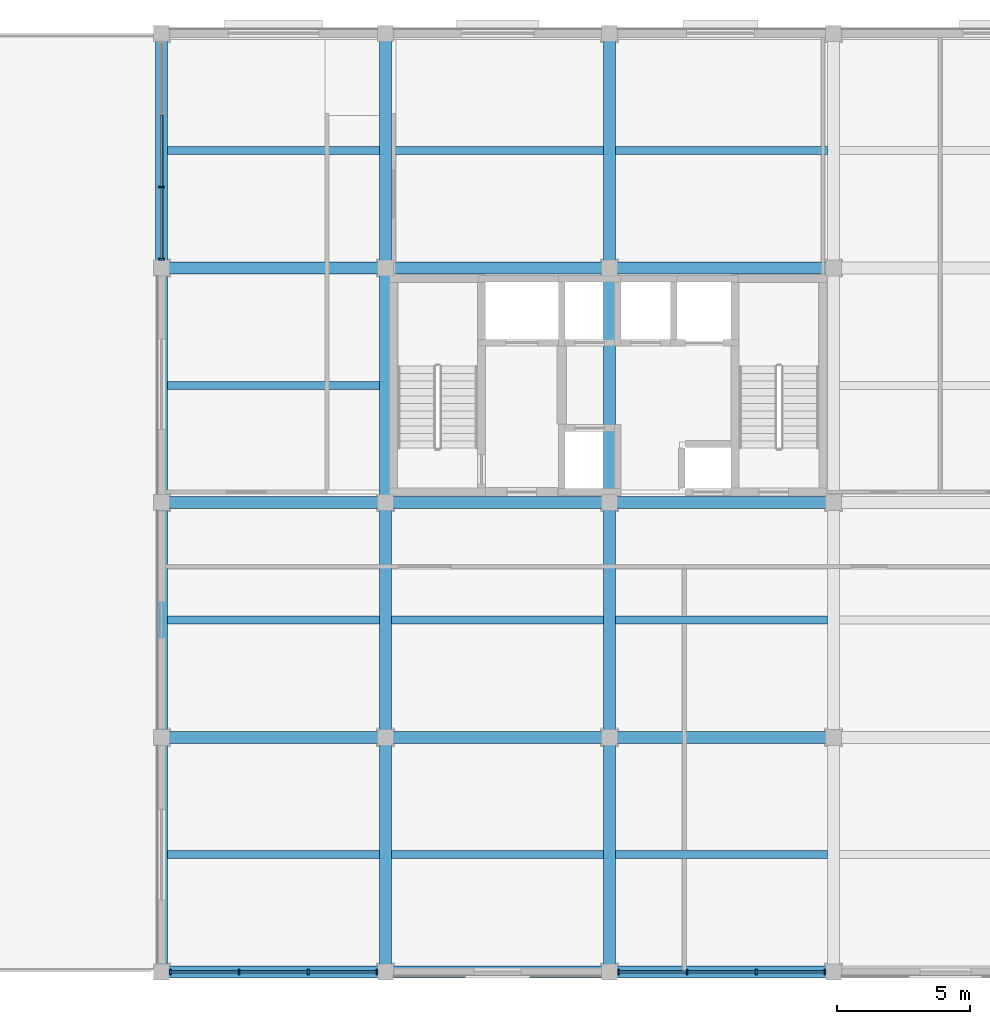
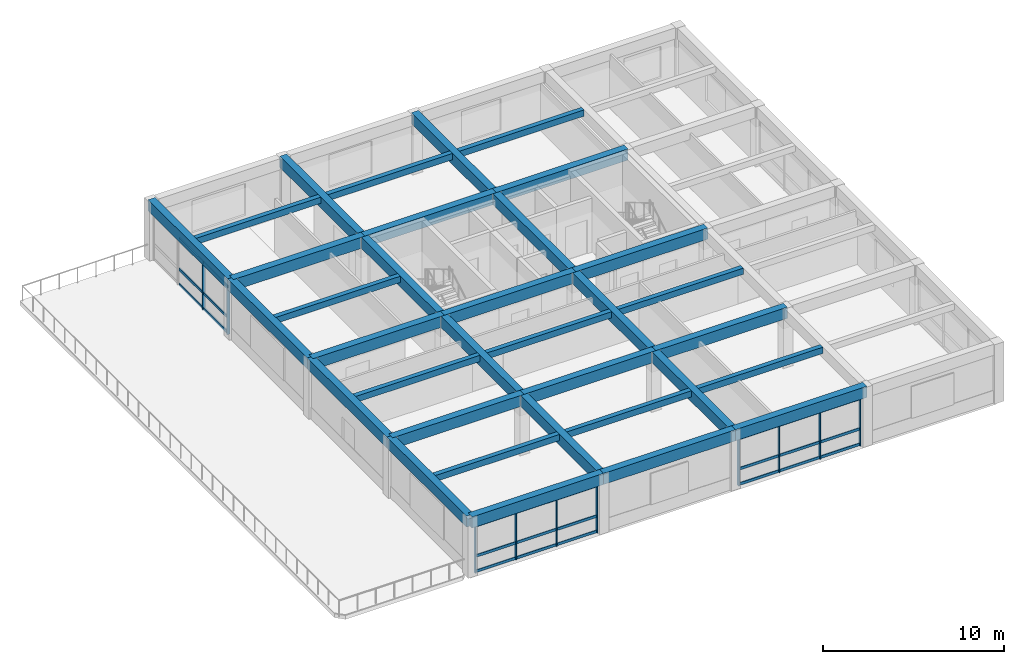
# One storey, part 2 of 10: 34 beams, 34 members, 3 elements without a shape of their own.
"""IFC4 building model written with IfcOpenShell, lengths in metres."""

from ifc_helpers import new_model, si_unit, direction, frame, origin, origin_2d, place, context, subcontext, project, spatial, rectangle, extrude, material, material_profile, profile_set, type_object, element, aggregate, save


model = new_model("IFC4")

# Units and contexts
model_context = context("Model", 3, precision=1e-05, world=origin(), true_north=direction((0.0, 1.0)))
body_context = subcontext(model_context, "Body", "Model", "MODEL_VIEW")
ifc_project = project(units=[si_unit("LENGTHUNIT", "METRE"), si_unit("AREAUNIT", "SQUARE_METRE"), si_unit("VOLUMEUNIT", "CUBIC_METRE"), si_unit("PLANEANGLEUNIT", "RADIAN"), si_unit("MASSUNIT", "GRAM", prefix="KILO")], contexts=[model_context])

# Site, building, storey
site_placement = place(None, origin())
site = spatial("IfcSite", under=ifc_project, at=site_placement, CompositionType="ELEMENT")
building_placement = place(site_placement, origin())
building = spatial("IfcBuilding", under=site, at=building_placement, Name="Kemercrest Conservatory and Botanical Centre", CompositionType="ELEMENT")
storey_placement = place(building_placement, frame((0.0, 0.0, 48.199951171875)))
storey = spatial("IfcBuildingStorey", under=building, at=storey_placement, Name="L12", CompositionType="ELEMENT", Elevation=48.199951171875)

# Beams
ifc_material_1 = material(Name="Concrete C40/50", Category="concrete")
ifc_material_profile_1 = material_profile(ifc_material_1, rectangle(XDim=0.449951171875, YDim=0.75, at=origin_2d()), Name="RC 450x750")
ifc_profile_set_1 = profile_set([ifc_material_profile_1], Name="Concrete C40/50")
beam_type_1 = type_object("IfcBeamType", Name="BM-RC75", PredefinedType="BEAM", material=ifc_profile_set_1)
beam_1_placement = place(storey_placement, frame((142.39990234375, 96.0, 3.625), z_axis=(1.0, 0.0, 0.0), x_axis=(0.0, 1.0, 0.0)))
element("IfcBeam", 1, at=beam_1_placement, inside=storey, type_object=beam_type_1, Name="V4-L13 beam BM-RC75 L/17-18", PredefinedType="BEAM", context=body_context, shape_type="SweptSolid", body=[
    extrude(rectangle(XDim=0.449951171875, YDim=0.75, at=origin_2d()), origin(), (0.0, 0.0, 1.0), 8.400146484375),
])
beam_2_placement = place(storey_placement, frame((150.800048828125, 96.0, 3.625), z_axis=(1.0, 0.0, 0.0), x_axis=(0.0, 1.0, 0.0)))
element("IfcBeam", 2, at=beam_2_placement, inside=storey, type_object=beam_type_1, Name="V4-L13 beam BM-RC75 L/18-19", PredefinedType="BEAM", context=body_context, shape_type="SweptSolid", body=[
    extrude(rectangle(XDim=0.449951171875, YDim=0.75, at=origin_2d()), origin(), (0.0, 0.0, 1.0), 8.39990234375),
])
for number, where, z_axis, x_axis, name in (
    (3, (159.199951171875, 96.0, 3.625), (1.0, 0.0, 0.0), (0.0, 1.0, 0.0), "V4-L13 beam BM-RC75 L/19-20"),
    (4, (142.39990234375, 104.800048828125, 3.625), (1.0, 0.0, 0.0), (0.0, 1.0, 0.0), "V4-L13 beam BM-RC75 M/17-18"),
):
    element("IfcBeam", number, at=place(storey_placement, frame(where, z_axis=z_axis, x_axis=x_axis)), inside=storey, type_object=beam_type_1, Name=name, PredefinedType="BEAM", context=body_context, shape_type="SweptSolid", body=[
        extrude(rectangle(XDim=0.449951171875, YDim=0.75, at=origin_2d()), origin(), (0.0, 0.0, 1.0), 8.400146484375),
    ])
beam_3_placement = place(storey_placement, frame((150.800048828125, 104.800048828125, 3.625), z_axis=(1.0, 0.0, 0.0), x_axis=(0.0, 1.0, 0.0)))
element("IfcBeam", 5, at=beam_3_placement, inside=storey, type_object=beam_type_1, Name="V4-L13 beam BM-RC75 M/18-19", PredefinedType="BEAM", context=body_context, shape_type="SweptSolid", body=[
    extrude(rectangle(XDim=0.449951171875, YDim=0.75, at=origin_2d()), origin(), (0.0, 0.0, 1.0), 8.39990234375),
])
for number, where, z_axis, x_axis, name in (
    (6, (159.199951171875, 104.800048828125, 3.625), (1.0, 0.0, 0.0), (0.0, 1.0, 0.0), "V4-L13 beam BM-RC75 M/19-20"),
    (7, (142.39990234375, 113.60009765625, 3.625), (1.0, 0.0, 0.0), (0.0, 1.0, 0.0), "V4-L13 beam BM-RC75 N/17-18"),
):
    element("IfcBeam", number, at=place(storey_placement, frame(where, z_axis=z_axis, x_axis=x_axis)), inside=storey, type_object=beam_type_1, Name=name, PredefinedType="BEAM", context=body_context, shape_type="SweptSolid", body=[
        extrude(rectangle(XDim=0.449951171875, YDim=0.75, at=origin_2d()), origin(), (0.0, 0.0, 1.0), 8.400146484375),
    ])
beam_4_placement = place(storey_placement, frame((150.800048828125, 113.60009765625, 3.625), z_axis=(1.0, 0.0, 0.0), x_axis=(0.0, 1.0, 0.0)))
element("IfcBeam", 8, at=beam_4_placement, inside=storey, type_object=beam_type_1, Name="V4-L13 beam BM-RC75 N/18-19", PredefinedType="BEAM", context=body_context, shape_type="SweptSolid", body=[
    extrude(rectangle(XDim=0.449951171875, YDim=0.75, at=origin_2d()), origin(), (0.0, 0.0, 1.0), 8.39990234375),
])
beam_5_placement = place(storey_placement, frame((159.199951171875, 113.60009765625, 3.625), z_axis=(1.0, 0.0, 0.0), x_axis=(0.0, 1.0, 0.0)))
element("IfcBeam", 9, at=beam_5_placement, inside=storey, type_object=beam_type_1, Name="V4-L13 beam BM-RC75 N/19-20", PredefinedType="BEAM", context=body_context, shape_type="SweptSolid", body=[
    extrude(rectangle(XDim=0.449951171875, YDim=0.75, at=origin_2d()), origin(), (0.0, 0.0, 1.0), 8.400146484375),
])
for number, where, z_axis, x_axis, name in (
    (10, (150.800048828125, 87.199951171875, 3.625), (0.0, 1.0, 0.0), (-1.0, 0.0, 0.0), "V4-L13 beam BM-RC75 18/K-L"),
    (11, (150.800048828125, 96.0, 3.625), (0.0, 1.0, 0.0), (-1.0, 0.0, 0.0), "V4-L13 beam BM-RC75 18/L-M"),
    (12, (150.800048828125, 104.800048828125, 3.625), (0.0, 1.0, 0.0), (-1.0, 0.0, 0.0), "V4-L13 beam BM-RC75 18/M-N"),
):
    element("IfcBeam", number, at=place(storey_placement, frame(where, z_axis=z_axis, x_axis=x_axis)), inside=storey, type_object=beam_type_1, Name=name, PredefinedType="BEAM", context=body_context, shape_type="SweptSolid", body=[
        extrude(rectangle(XDim=0.449951171875, YDim=0.75, at=origin_2d()), origin(), (0.0, 0.0, 1.0), 8.800048828125),
    ])
beam_6_placement = place(storey_placement, frame((150.800048828125, 113.60009765625, 3.625), z_axis=(0.0, 1.0, 0.0), x_axis=(-1.0, 0.0, 0.0)))
element("IfcBeam", 13, at=beam_6_placement, inside=storey, type_object=beam_type_1, Name="V4-L13 beam BM-RC75 18/N-P", PredefinedType="BEAM", context=body_context, shape_type="SweptSolid", body=[
    extrude(rectangle(XDim=0.449951171875, YDim=0.75, at=origin_2d()), origin(), (0.0, 0.0, 1.0), 8.7998046875),
])
for number, where, z_axis, x_axis, name in (
    (14, (159.199951171875, 87.199951171875, 3.625), (0.0, 1.0, 0.0), (-1.0, 0.0, 0.0), "V4-L13 beam BM-RC75 19/K-L"),
    (15, (159.199951171875, 96.0, 3.625), (0.0, 1.0, 0.0), (-1.0, 0.0, 0.0), "V4-L13 beam BM-RC75 19/L-M"),
    (16, (159.199951171875, 104.800048828125, 3.625), (0.0, 1.0, 0.0), (-1.0, 0.0, 0.0), "V4-L13 beam BM-RC75 19/M-N"),
):
    element("IfcBeam", number, at=place(storey_placement, frame(where, z_axis=z_axis, x_axis=x_axis)), inside=storey, type_object=beam_type_1, Name=name, PredefinedType="BEAM", context=body_context, shape_type="SweptSolid", body=[
        extrude(rectangle(XDim=0.449951171875, YDim=0.75, at=origin_2d()), origin(), (0.0, 0.0, 1.0), 8.800048828125),
    ])
beam_7_placement = place(storey_placement, frame((159.199951171875, 113.60009765625, 3.625), z_axis=(0.0, 1.0, 0.0), x_axis=(-1.0, 0.0, 0.0)))
element("IfcBeam", 17, at=beam_7_placement, inside=storey, type_object=beam_type_1, Name="V4-L13 beam BM-RC75 19/N-P", PredefinedType="BEAM", context=body_context, shape_type="SweptSolid", body=[
    extrude(rectangle(XDim=0.449951171875, YDim=0.75, at=origin_2d()), origin(), (0.0, 0.0, 1.0), 8.7998046875),
])

# Curtain wall, members
ifc_material_2 = material(Name="Thermally broken aluminium and triple low-e glazing", Category="aluminium")
curtain_wall_type_1 = type_object("IfcCurtainWallType", Name="CW-09", PredefinedType="USERDEFINED", material=ifc_material_2)
curtain_wall_1_placement = place(storey_placement, origin())
curtain_wall_1 = element("IfcCurtainWall", 18, at=curtain_wall_1_placement, inside=storey, type_object=curtain_wall_type_1, Name="Unitised curtain wall CW-09 (CW:L12:V4-128)", ObjectType="UNITISED CURTAIN WALL", PredefinedType="USERDEFINED")
ifc_material_3 = material(Name="Thermally broken anodized aluminium 6063-T6", Category="aluminium")
ifc_material_profile_2 = material_profile(ifc_material_3, rectangle(XDim=0.199951171875, YDim=0.06494140625, at=origin_2d()), Name="AL MULLION 65x200")
ifc_profile_set_2 = profile_set([ifc_material_profile_2], Name="Thermally broken anodized aluminium 6063-T6")
member_type_1 = type_object("IfcMemberType", Name="CW-M200", PredefinedType="MULLION", material=ifc_profile_set_2)
member_1_placement = place(storey_placement, frame((142.7275390625, 87.199951171875, 0.0), z_axis=(0.0, 0.0, 1.0), x_axis=(0.0, 1.0, 0.0)))
member_1 = element("IfcMember", 19, at=member_1_placement, type_object=member_type_1, Name="CW-09 mullion 1", PredefinedType="MULLION", context=body_context, shape_type="SweptSolid", body=[
    extrude(rectangle(XDim=0.199951171875, YDim=0.06494140625, at=origin_2d()), origin(), (0.0, 0.0, 1.0), 3.255126953125),
])
member_2_placement = place(storey_placement, frame((145.29833984375, 87.199951171875, 0.0), z_axis=(0.0, 0.0, 1.0), x_axis=(0.0, 1.0, 0.0)))
member_2 = element("IfcMember", 20, at=member_2_placement, type_object=member_type_1, Name="CW-09 mullion 2", PredefinedType="MULLION", context=body_context, shape_type="SweptSolid", body=[
    extrude(rectangle(XDim=0.199951171875, YDim=0.06494140625, at=origin_2d()), origin(), (0.0, 0.0, 1.0), 3.255126953125),
])
member_3_placement = place(storey_placement, frame((147.901611328125, 87.199951171875, 0.0), z_axis=(0.0, 0.0, 1.0), x_axis=(0.0, 1.0, 0.0)))
member_3 = element("IfcMember", 21, at=member_3_placement, type_object=member_type_1, Name="CW-09 mullion 3", PredefinedType="MULLION", context=body_context, shape_type="SweptSolid", body=[
    extrude(rectangle(XDim=0.199951171875, YDim=0.06494140625, at=origin_2d()), origin(), (0.0, 0.0, 1.0), 3.255126953125),
])
member_4_placement = place(storey_placement, frame((150.472412109375, 87.199951171875, 0.0), z_axis=(0.0, 0.0, 1.0), x_axis=(0.0, 1.0, 0.0)))
member_4 = element("IfcMember", 22, at=member_4_placement, type_object=member_type_1, Name="CW-09 mullion 4", PredefinedType="MULLION", context=body_context, shape_type="SweptSolid", body=[
    extrude(rectangle(XDim=0.199951171875, YDim=0.06494140625, at=origin_2d()), origin(), (0.0, 0.0, 1.0), 3.255126953125),
])

curtain_wall_type_2 = type_object("IfcCurtainWallType", Name="CW-10", PredefinedType="USERDEFINED", material=ifc_material_2)
curtain_wall_2_placement = place(storey_placement, origin())
curtain_wall_2 = element("IfcCurtainWall", 23, at=curtain_wall_2_placement, inside=storey, type_object=curtain_wall_type_2, Name="Unitised curtain wall CW-10 (CW:L12:V4-129)", ObjectType="UNITISED CURTAIN WALL", PredefinedType="USERDEFINED")
member_5_placement = place(storey_placement, frame((159.527587890625, 87.199951171875, 0.0), z_axis=(0.0, 0.0, 1.0), x_axis=(0.0, 1.0, 0.0)))
member_5 = element("IfcMember", 24, at=member_5_placement, type_object=member_type_1, Name="CW-10 mullion 1", PredefinedType="MULLION", context=body_context, shape_type="SweptSolid", body=[
    extrude(rectangle(XDim=0.199951171875, YDim=0.06494140625, at=origin_2d()), origin(), (0.0, 0.0, 1.0), 3.255126953125),
])
member_6_placement = place(storey_placement, frame((162.098388671875, 87.199951171875, 0.0), z_axis=(0.0, 0.0, 1.0), x_axis=(0.0, 1.0, 0.0)))
member_6 = element("IfcMember", 25, at=member_6_placement, type_object=member_type_1, Name="CW-10 mullion 2", PredefinedType="MULLION", context=body_context, shape_type="SweptSolid", body=[
    extrude(rectangle(XDim=0.199951171875, YDim=0.06494140625, at=origin_2d()), origin(), (0.0, 0.0, 1.0), 3.255126953125),
])
member_7_placement = place(storey_placement, frame((164.70166015625, 87.199951171875, 0.0), z_axis=(0.0, 0.0, 1.0), x_axis=(0.0, 1.0, 0.0)))
member_7 = element("IfcMember", 26, at=member_7_placement, type_object=member_type_1, Name="CW-10 mullion 3", PredefinedType="MULLION", context=body_context, shape_type="SweptSolid", body=[
    extrude(rectangle(XDim=0.199951171875, YDim=0.06494140625, at=origin_2d()), origin(), (0.0, 0.0, 1.0), 3.255126953125),
])
member_8_placement = place(storey_placement, frame((167.2724609375, 87.199951171875, 0.0), z_axis=(0.0, 0.0, 1.0), x_axis=(0.0, 1.0, 0.0)))
member_8 = element("IfcMember", 27, at=member_8_placement, type_object=member_type_1, Name="CW-10 mullion 4", PredefinedType="MULLION", context=body_context, shape_type="SweptSolid", body=[
    extrude(rectangle(XDim=0.199951171875, YDim=0.06494140625, at=origin_2d()), origin(), (0.0, 0.0, 1.0), 3.255126953125),
])

curtain_wall_type_3 = type_object("IfcCurtainWallType", Name="CW-13", PredefinedType="USERDEFINED", material=ifc_material_2)
curtain_wall_3_placement = place(storey_placement, origin())
curtain_wall_3 = element("IfcCurtainWall", 28, at=curtain_wall_3_placement, inside=storey, type_object=curtain_wall_type_3, Name="Unitised curtain wall CW-13 (CW:L12:V4-132)", ObjectType="UNITISED CURTAIN WALL", PredefinedType="USERDEFINED")
member_9_placement = place(storey_placement, frame((142.39990234375, 116.631591796875, 0.0), z_axis=(0.0, 0.0, 1.0), x_axis=(1.0, 0.0, 0.0)))
member_9 = element("IfcMember", 29, at=member_9_placement, type_object=member_type_1, Name="CW-13 mullion 3", PredefinedType="MULLION", context=body_context, shape_type="SweptSolid", body=[
    extrude(rectangle(XDim=0.199951171875, YDim=0.06494140625, at=origin_2d()), origin(), (0.0, 0.0, 1.0), 3.255126953125),
])
member_10_placement = place(storey_placement, frame((142.39990234375, 113.927490234375, 0.0), z_axis=(0.0, 0.0, 1.0), x_axis=(1.0, 0.0, 0.0)))
member_10 = element("IfcMember", 30, at=member_10_placement, type_object=member_type_1, Name="CW-13 mullion 4", PredefinedType="MULLION", context=body_context, shape_type="SweptSolid", body=[
    extrude(rectangle(XDim=0.199951171875, YDim=0.06494140625, at=origin_2d()), origin(), (0.0, 0.0, 1.0), 3.255126953125),
])

# Member
ifc_material_profile_3 = material_profile(ifc_material_3, rectangle(XDim=0.074951171875, YDim=0.179931640625, at=origin_2d()), Name="AL TRANSOM 75x180")
ifc_profile_set_3 = profile_set([ifc_material_profile_3], Name="Thermally broken anodized aluminium 6063-T6")
member_type_2 = type_object("IfcMemberType", Name="CW-T180", PredefinedType="USERDEFINED", material=ifc_profile_set_3)
member_11_placement = place(storey_placement, frame((142.760009765625, 87.199951171875, 0.090087890625), z_axis=(1.0, 0.0, 0.0), x_axis=(0.0, 1.0, 0.0)))
member_11 = element("IfcMember", 31, at=member_11_placement, type_object=member_type_2, Name="CW-09 transom 1.1", ObjectType="TRANSOM", PredefinedType="USERDEFINED", context=body_context, shape_type="SweptSolid", body=[
    extrude(rectangle(XDim=0.074951171875, YDim=0.179931640625, at=origin_2d()), origin(), (0.0, 0.0, 1.0), 2.505859375),
])

member_12_placement = place(storey_placement, frame((142.760009765625, 87.199951171875, 1.1201171875), z_axis=(1.0, 0.0, 0.0), x_axis=(0.0, 1.0, 0.0)))
member_12 = element("IfcMember", 32, at=member_12_placement, type_object=member_type_2, Name="CW-09 transom 1.2", ObjectType="TRANSOM", PredefinedType="USERDEFINED", context=body_context, shape_type="SweptSolid", body=[
    extrude(rectangle(XDim=0.074951171875, YDim=0.179931640625, at=origin_2d()), origin(), (0.0, 0.0, 1.0), 2.505859375),
])

member_13_placement = place(storey_placement, frame((142.760009765625, 87.199951171875, 3.1650390625), z_axis=(1.0, 0.0, 0.0), x_axis=(0.0, 1.0, 0.0)))
member_13 = element("IfcMember", 33, at=member_13_placement, type_object=member_type_2, Name="CW-09 transom 1.3", ObjectType="TRANSOM", PredefinedType="USERDEFINED", context=body_context, shape_type="SweptSolid", body=[
    extrude(rectangle(XDim=0.074951171875, YDim=0.179931640625, at=origin_2d()), origin(), (0.0, 0.0, 1.0), 2.505859375),
])

member_14_placement = place(storey_placement, frame((145.330810546875, 87.199951171875, 0.090087890625), z_axis=(1.0, 0.0, 0.0), x_axis=(0.0, 1.0, 0.0)))
member_14 = element("IfcMember", 34, at=member_14_placement, type_object=member_type_2, Name="CW-09 transom 2.1", ObjectType="TRANSOM", PredefinedType="USERDEFINED", context=body_context, shape_type="SweptSolid", body=[
    extrude(rectangle(XDim=0.074951171875, YDim=0.179931640625, at=origin_2d()), origin(), (0.0, 0.0, 1.0), 2.538330078125),
])

member_15_placement = place(storey_placement, frame((145.330810546875, 87.199951171875, 1.1201171875), z_axis=(1.0, 0.0, 0.0), x_axis=(0.0, 1.0, 0.0)))
member_15 = element("IfcMember", 35, at=member_15_placement, type_object=member_type_2, Name="CW-09 transom 2.2", ObjectType="TRANSOM", PredefinedType="USERDEFINED", context=body_context, shape_type="SweptSolid", body=[
    extrude(rectangle(XDim=0.074951171875, YDim=0.179931640625, at=origin_2d()), origin(), (0.0, 0.0, 1.0), 2.538330078125),
])

member_16_placement = place(storey_placement, frame((145.330810546875, 87.199951171875, 3.1650390625), z_axis=(1.0, 0.0, 0.0), x_axis=(0.0, 1.0, 0.0)))
member_16 = element("IfcMember", 36, at=member_16_placement, type_object=member_type_2, Name="CW-09 transom 2.3", ObjectType="TRANSOM", PredefinedType="USERDEFINED", context=body_context, shape_type="SweptSolid", body=[
    extrude(rectangle(XDim=0.074951171875, YDim=0.179931640625, at=origin_2d()), origin(), (0.0, 0.0, 1.0), 2.538330078125),
])

member_17_placement = place(storey_placement, frame((147.93408203125, 87.199951171875, 0.090087890625), z_axis=(1.0, 0.0, 0.0), x_axis=(0.0, 1.0, 0.0)))
member_17 = element("IfcMember", 37, at=member_17_placement, type_object=member_type_2, Name="CW-09 transom 3.1", ObjectType="TRANSOM", PredefinedType="USERDEFINED", context=body_context, shape_type="SweptSolid", body=[
    extrude(rectangle(XDim=0.074951171875, YDim=0.179931640625, at=origin_2d()), origin(), (0.0, 0.0, 1.0), 2.505859375),
])

member_18_placement = place(storey_placement, frame((147.93408203125, 87.199951171875, 1.1201171875), z_axis=(1.0, 0.0, 0.0), x_axis=(0.0, 1.0, 0.0)))
member_18 = element("IfcMember", 38, at=member_18_placement, type_object=member_type_2, Name="CW-09 transom 3.2", ObjectType="TRANSOM", PredefinedType="USERDEFINED", context=body_context, shape_type="SweptSolid", body=[
    extrude(rectangle(XDim=0.074951171875, YDim=0.179931640625, at=origin_2d()), origin(), (0.0, 0.0, 1.0), 2.505859375),
])

member_19_placement = place(storey_placement, frame((147.93408203125, 87.199951171875, 3.1650390625), z_axis=(1.0, 0.0, 0.0), x_axis=(0.0, 1.0, 0.0)))
member_19 = element("IfcMember", 39, at=member_19_placement, type_object=member_type_2, Name="CW-09 transom 3.3", ObjectType="TRANSOM", PredefinedType="USERDEFINED", context=body_context, shape_type="SweptSolid", body=[
    extrude(rectangle(XDim=0.074951171875, YDim=0.179931640625, at=origin_2d()), origin(), (0.0, 0.0, 1.0), 2.505859375),
])

aggregate(curtain_wall_1, [member_1, member_2, member_3, member_4, member_11, member_12, member_13, member_14, member_15, member_16, member_17, member_18, member_19])

member_20_placement = place(storey_placement, frame((159.56005859375, 87.199951171875, 0.090087890625), z_axis=(1.0, 0.0, 0.0), x_axis=(0.0, 1.0, 0.0)))
member_20 = element("IfcMember", 40, at=member_20_placement, type_object=member_type_2, Name="CW-10 transom 1.1", ObjectType="TRANSOM", PredefinedType="USERDEFINED", context=body_context, shape_type="SweptSolid", body=[
    extrude(rectangle(XDim=0.074951171875, YDim=0.179931640625, at=origin_2d()), origin(), (0.0, 0.0, 1.0), 2.505859375),
])

member_21_placement = place(storey_placement, frame((159.56005859375, 87.199951171875, 1.1201171875), z_axis=(1.0, 0.0, 0.0), x_axis=(0.0, 1.0, 0.0)))
member_21 = element("IfcMember", 41, at=member_21_placement, type_object=member_type_2, Name="CW-10 transom 1.2", ObjectType="TRANSOM", PredefinedType="USERDEFINED", context=body_context, shape_type="SweptSolid", body=[
    extrude(rectangle(XDim=0.074951171875, YDim=0.179931640625, at=origin_2d()), origin(), (0.0, 0.0, 1.0), 2.505859375),
])

member_22_placement = place(storey_placement, frame((159.56005859375, 87.199951171875, 3.1650390625), z_axis=(1.0, 0.0, 0.0), x_axis=(0.0, 1.0, 0.0)))
member_22 = element("IfcMember", 42, at=member_22_placement, type_object=member_type_2, Name="CW-10 transom 1.3", ObjectType="TRANSOM", PredefinedType="USERDEFINED", context=body_context, shape_type="SweptSolid", body=[
    extrude(rectangle(XDim=0.074951171875, YDim=0.179931640625, at=origin_2d()), origin(), (0.0, 0.0, 1.0), 2.505859375),
])

member_23_placement = place(storey_placement, frame((162.130859375, 87.199951171875, 0.090087890625), z_axis=(1.0, 0.0, 0.0), x_axis=(0.0, 1.0, 0.0)))
member_23 = element("IfcMember", 43, at=member_23_placement, type_object=member_type_2, Name="CW-10 transom 2.1", ObjectType="TRANSOM", PredefinedType="USERDEFINED", context=body_context, shape_type="SweptSolid", body=[
    extrude(rectangle(XDim=0.074951171875, YDim=0.179931640625, at=origin_2d()), origin(), (0.0, 0.0, 1.0), 2.538330078125),
])

member_24_placement = place(storey_placement, frame((162.130859375, 87.199951171875, 1.1201171875), z_axis=(1.0, 0.0, 0.0), x_axis=(0.0, 1.0, 0.0)))
member_24 = element("IfcMember", 44, at=member_24_placement, type_object=member_type_2, Name="CW-10 transom 2.2", ObjectType="TRANSOM", PredefinedType="USERDEFINED", context=body_context, shape_type="SweptSolid", body=[
    extrude(rectangle(XDim=0.074951171875, YDim=0.179931640625, at=origin_2d()), origin(), (0.0, 0.0, 1.0), 2.538330078125),
])

member_25_placement = place(storey_placement, frame((162.130859375, 87.199951171875, 3.1650390625), z_axis=(1.0, 0.0, 0.0), x_axis=(0.0, 1.0, 0.0)))
member_25 = element("IfcMember", 45, at=member_25_placement, type_object=member_type_2, Name="CW-10 transom 2.3", ObjectType="TRANSOM", PredefinedType="USERDEFINED", context=body_context, shape_type="SweptSolid", body=[
    extrude(rectangle(XDim=0.074951171875, YDim=0.179931640625, at=origin_2d()), origin(), (0.0, 0.0, 1.0), 2.538330078125),
])

member_26_placement = place(storey_placement, frame((164.734130859375, 87.199951171875, 0.090087890625), z_axis=(1.0, 0.0, 0.0), x_axis=(0.0, 1.0, 0.0)))
member_26 = element("IfcMember", 46, at=member_26_placement, type_object=member_type_2, Name="CW-10 transom 3.1", ObjectType="TRANSOM", PredefinedType="USERDEFINED", context=body_context, shape_type="SweptSolid", body=[
    extrude(rectangle(XDim=0.074951171875, YDim=0.179931640625, at=origin_2d()), origin(), (0.0, 0.0, 1.0), 2.505859375),
])

member_27_placement = place(storey_placement, frame((164.734130859375, 87.199951171875, 1.1201171875), z_axis=(1.0, 0.0, 0.0), x_axis=(0.0, 1.0, 0.0)))
member_27 = element("IfcMember", 47, at=member_27_placement, type_object=member_type_2, Name="CW-10 transom 3.2", ObjectType="TRANSOM", PredefinedType="USERDEFINED", context=body_context, shape_type="SweptSolid", body=[
    extrude(rectangle(XDim=0.074951171875, YDim=0.179931640625, at=origin_2d()), origin(), (0.0, 0.0, 1.0), 2.505859375),
])

member_28_placement = place(storey_placement, frame((164.734130859375, 87.199951171875, 3.1650390625), z_axis=(1.0, 0.0, 0.0), x_axis=(0.0, 1.0, 0.0)))
member_28 = element("IfcMember", 48, at=member_28_placement, type_object=member_type_2, Name="CW-10 transom 3.3", ObjectType="TRANSOM", PredefinedType="USERDEFINED", context=body_context, shape_type="SweptSolid", body=[
    extrude(rectangle(XDim=0.074951171875, YDim=0.179931640625, at=origin_2d()), origin(), (0.0, 0.0, 1.0), 2.505859375),
])

aggregate(curtain_wall_2, [member_5, member_6, member_7, member_8, member_20, member_21, member_22, member_23, member_24, member_25, member_26, member_27, member_28])

member_29_placement = place(storey_placement, frame((142.39990234375, 119.3359375, 0.090087890625), z_axis=(0.0, -1.0, 0.0), x_axis=(1.0, 0.0, 0.0)))
member_29 = element("IfcMember", 49, at=member_29_placement, type_object=member_type_2, Name="CW-13 transom 2.1", ObjectType="TRANSOM", PredefinedType="USERDEFINED", context=body_context, shape_type="SweptSolid", body=[
    extrude(rectangle(XDim=0.074951171875, YDim=0.179931640625, at=origin_2d()), origin(), (0.0, 0.0, 1.0), 2.671875),
])

member_30_placement = place(storey_placement, frame((142.39990234375, 119.3359375, 1.1201171875), z_axis=(0.0, -1.0, 0.0), x_axis=(1.0, 0.0, 0.0)))
member_30 = element("IfcMember", 50, at=member_30_placement, type_object=member_type_2, Name="CW-13 transom 2.2", ObjectType="TRANSOM", PredefinedType="USERDEFINED", context=body_context, shape_type="SweptSolid", body=[
    extrude(rectangle(XDim=0.074951171875, YDim=0.179931640625, at=origin_2d()), origin(), (0.0, 0.0, 1.0), 2.671875),
])

member_31_placement = place(storey_placement, frame((142.39990234375, 119.3359375, 3.1650390625), z_axis=(0.0, -1.0, 0.0), x_axis=(1.0, 0.0, 0.0)))
member_31 = element("IfcMember", 51, at=member_31_placement, type_object=member_type_2, Name="CW-13 transom 2.3", ObjectType="TRANSOM", PredefinedType="USERDEFINED", context=body_context, shape_type="SweptSolid", body=[
    extrude(rectangle(XDim=0.074951171875, YDim=0.179931640625, at=origin_2d()), origin(), (0.0, 0.0, 1.0), 2.671875),
])

member_32_placement = place(storey_placement, frame((142.39990234375, 116.59912109375, 0.090087890625), z_axis=(0.0, -1.0, 0.0), x_axis=(1.0, 0.0, 0.0)))
member_32 = element("IfcMember", 52, at=member_32_placement, type_object=member_type_2, Name="CW-13 transom 3.1", ObjectType="TRANSOM", PredefinedType="USERDEFINED", context=body_context, shape_type="SweptSolid", body=[
    extrude(rectangle(XDim=0.074951171875, YDim=0.179931640625, at=origin_2d()), origin(), (0.0, 0.0, 1.0), 2.63916015625),
])

member_33_placement = place(storey_placement, frame((142.39990234375, 116.59912109375, 1.1201171875), z_axis=(0.0, -1.0, 0.0), x_axis=(1.0, 0.0, 0.0)))
member_33 = element("IfcMember", 53, at=member_33_placement, type_object=member_type_2, Name="CW-13 transom 3.2", ObjectType="TRANSOM", PredefinedType="USERDEFINED", context=body_context, shape_type="SweptSolid", body=[
    extrude(rectangle(XDim=0.074951171875, YDim=0.179931640625, at=origin_2d()), origin(), (0.0, 0.0, 1.0), 2.63916015625),
])

member_34_placement = place(storey_placement, frame((142.39990234375, 116.59912109375, 3.1650390625), z_axis=(0.0, -1.0, 0.0), x_axis=(1.0, 0.0, 0.0)))
member_34 = element("IfcMember", 54, at=member_34_placement, type_object=member_type_2, Name="CW-13 transom 3.3", ObjectType="TRANSOM", PredefinedType="USERDEFINED", context=body_context, shape_type="SweptSolid", body=[
    extrude(rectangle(XDim=0.074951171875, YDim=0.179931640625, at=origin_2d()), origin(), (0.0, 0.0, 1.0), 2.63916015625),
])

aggregate(curtain_wall_3, [member_9, member_10, member_29, member_30, member_31, member_32, member_33, member_34])

# Beams
ifc_material_profile_4 = material_profile(ifc_material_1, rectangle(XDim=0.300048828125, YDim=0.419921875, at=origin_2d()), Name="RC 300x420")
ifc_profile_set_4 = profile_set([ifc_material_profile_4], Name="Concrete C40/50")
beam_type_2 = type_object("IfcBeamType", Name="JS-RC42", PredefinedType="JOIST", material=ifc_profile_set_4)
beam_8_placement = place(storey_placement, frame((142.625, 91.60009765625, 3.7900390625), z_axis=(1.0, 0.0, 0.0), x_axis=(0.0, 1.0, 0.0)))
element("IfcBeam", 55, at=beam_8_placement, inside=storey, type_object=beam_type_2, Name="V4-L13 secondary joist JS-RC42", PredefinedType="JOIST", context=body_context, shape_type="SweptSolid", body=[
    extrude(rectangle(XDim=0.300048828125, YDim=0.419921875, at=origin_2d()), origin(), (0.0, 0.0, 1.0), 7.949951171875),
])
beam_9_placement = place(storey_placement, frame((151.02490234375, 91.60009765625, 3.7900390625), z_axis=(1.0, 0.0, 0.0), x_axis=(0.0, 1.0, 0.0)))
element("IfcBeam", 56, at=beam_9_placement, inside=storey, type_object=beam_type_2, Name="V4-L13 secondary joist JS-RC42", PredefinedType="JOIST", context=body_context, shape_type="SweptSolid", body=[
    extrude(rectangle(XDim=0.300048828125, YDim=0.419921875, at=origin_2d()), origin(), (0.0, 0.0, 1.0), 7.9501953125),
])
for number, where, z_axis, x_axis, name in (
    (57, (159.425048828125, 91.60009765625, 3.7900390625), (1.0, 0.0, 0.0), (0.0, 1.0, 0.0), "V4-L13 secondary joist JS-RC42"),
    (58, (142.625, 100.39990234375, 3.7900390625), (1.0, 0.0, 0.0), (0.0, 1.0, 0.0), "V4-L13 secondary joist JS-RC42"),
):
    element("IfcBeam", number, at=place(storey_placement, frame(where, z_axis=z_axis, x_axis=x_axis)), inside=storey, type_object=beam_type_2, Name=name, PredefinedType="JOIST", context=body_context, shape_type="SweptSolid", body=[
        extrude(rectangle(XDim=0.300048828125, YDim=0.419921875, at=origin_2d()), origin(), (0.0, 0.0, 1.0), 7.949951171875),
    ])
beam_10_placement = place(storey_placement, frame((151.02490234375, 100.39990234375, 3.7900390625), z_axis=(1.0, 0.0, 0.0), x_axis=(0.0, 1.0, 0.0)))
element("IfcBeam", 59, at=beam_10_placement, inside=storey, type_object=beam_type_2, Name="V4-L13 secondary joist JS-RC42", PredefinedType="JOIST", context=body_context, shape_type="SweptSolid", body=[
    extrude(rectangle(XDim=0.300048828125, YDim=0.419921875, at=origin_2d()), origin(), (0.0, 0.0, 1.0), 7.9501953125),
])
for number, where, z_axis, x_axis, name in (
    (60, (159.425048828125, 100.39990234375, 3.7900390625), (1.0, 0.0, 0.0), (0.0, 1.0, 0.0), "V4-L13 secondary joist JS-RC42"),
    (61, (142.625, 109.199951171875, 3.7900390625), (1.0, 0.0, 0.0), (0.0, 1.0, 0.0), "V4-L13 secondary joist JS-RC42"),
    (62, (142.625, 118.0, 3.7900390625), (1.0, 0.0, 0.0), (0.0, 1.0, 0.0), "V4-L13 secondary joist JS-RC42"),
):
    element("IfcBeam", number, at=place(storey_placement, frame(where, z_axis=z_axis, x_axis=x_axis)), inside=storey, type_object=beam_type_2, Name=name, PredefinedType="JOIST", context=body_context, shape_type="SweptSolid", body=[
        extrude(rectangle(XDim=0.300048828125, YDim=0.419921875, at=origin_2d()), origin(), (0.0, 0.0, 1.0), 7.949951171875),
    ])
beam_11_placement = place(storey_placement, frame((151.02490234375, 118.0, 3.7900390625), z_axis=(1.0, 0.0, 0.0), x_axis=(0.0, 1.0, 0.0)))
element("IfcBeam", 63, at=beam_11_placement, inside=storey, type_object=beam_type_2, Name="V4-L13 secondary joist JS-RC42", PredefinedType="JOIST", context=body_context, shape_type="SweptSolid", body=[
    extrude(rectangle(XDim=0.300048828125, YDim=0.419921875, at=origin_2d()), origin(), (0.0, 0.0, 1.0), 7.9501953125),
])
beam_12_placement = place(storey_placement, frame((159.425048828125, 118.0, 3.7900390625), z_axis=(1.0, 0.0, 0.0), x_axis=(0.0, 1.0, 0.0)))
element("IfcBeam", 64, at=beam_12_placement, inside=storey, type_object=beam_type_2, Name="V4-L13 secondary joist JS-RC42", PredefinedType="JOIST", context=body_context, shape_type="SweptSolid", body=[
    extrude(rectangle(XDim=0.300048828125, YDim=0.419921875, at=origin_2d()), origin(), (0.0, 0.0, 1.0), 7.949951171875),
])
ifc_material_profile_5 = material_profile(ifc_material_1, rectangle(XDim=0.449951171875, YDim=0.75, at=origin_2d()), Name="RC 450x750")
ifc_profile_set_5 = profile_set([ifc_material_profile_5], Name="Concrete C40/50")
beam_type_3 = type_object("IfcBeamType", Name="SP-RC75", PredefinedType="SPANDREL", material=ifc_profile_set_5)
beam_13_placement = place(storey_placement, frame((142.39990234375, 87.199951171875, 3.625), z_axis=(1.0, 0.0, 0.0), x_axis=(0.0, 1.0, 0.0)))
element("IfcBeam", 65, at=beam_13_placement, inside=storey, type_object=beam_type_3, Name="V4-L13 beam SP-RC75 K/17-18", PredefinedType="SPANDREL", context=body_context, shape_type="SweptSolid", body=[
    extrude(rectangle(XDim=0.449951171875, YDim=0.75, at=origin_2d()), origin(), (0.0, 0.0, 1.0), 8.400146484375),
])
beam_14_placement = place(storey_placement, frame((150.800048828125, 87.199951171875, 3.625), z_axis=(1.0, 0.0, 0.0), x_axis=(0.0, 1.0, 0.0)))
element("IfcBeam", 66, at=beam_14_placement, inside=storey, type_object=beam_type_3, Name="V4-L13 beam SP-RC75 K/18-19", PredefinedType="SPANDREL", context=body_context, shape_type="SweptSolid", body=[
    extrude(rectangle(XDim=0.449951171875, YDim=0.75, at=origin_2d()), origin(), (0.0, 0.0, 1.0), 8.39990234375),
])
beam_15_placement = place(storey_placement, frame((159.199951171875, 87.199951171875, 3.625), z_axis=(1.0, 0.0, 0.0), x_axis=(0.0, 1.0, 0.0)))
element("IfcBeam", 67, at=beam_15_placement, inside=storey, type_object=beam_type_3, Name="V4-L13 beam SP-RC75 K/19-20", PredefinedType="SPANDREL", context=body_context, shape_type="SweptSolid", body=[
    extrude(rectangle(XDim=0.449951171875, YDim=0.75, at=origin_2d()), origin(), (0.0, 0.0, 1.0), 8.400146484375),
])
for number, where, z_axis, x_axis, name in (
    (68, (142.39990234375, 87.199951171875, 3.625), (0.0, 1.0, 0.0), (-1.0, 0.0, 0.0), "V4-L13 beam SP-RC75 17/K-L"),
    (69, (142.39990234375, 96.0, 3.625), (0.0, 1.0, 0.0), (-1.0, 0.0, 0.0), "V4-L13 beam SP-RC75 17/L-M"),
    (70, (142.39990234375, 104.800048828125, 3.625), (0.0, 1.0, 0.0), (-1.0, 0.0, 0.0), "V4-L13 beam SP-RC75 17/M-N"),
):
    element("IfcBeam", number, at=place(storey_placement, frame(where, z_axis=z_axis, x_axis=x_axis)), inside=storey, type_object=beam_type_3, Name=name, PredefinedType="SPANDREL", context=body_context, shape_type="SweptSolid", body=[
        extrude(rectangle(XDim=0.449951171875, YDim=0.75, at=origin_2d()), origin(), (0.0, 0.0, 1.0), 8.800048828125),
    ])
beam_16_placement = place(storey_placement, frame((142.39990234375, 113.60009765625, 3.625), z_axis=(0.0, 1.0, 0.0), x_axis=(-1.0, 0.0, 0.0)))
element("IfcBeam", 71, at=beam_16_placement, inside=storey, type_object=beam_type_3, Name="V4-L13 beam SP-RC75 17/N-P", PredefinedType="SPANDREL", context=body_context, shape_type="SweptSolid", body=[
    extrude(rectangle(XDim=0.449951171875, YDim=0.75, at=origin_2d()), origin(), (0.0, 0.0, 1.0), 8.7998046875),
])

save(model, "model.ifc")
